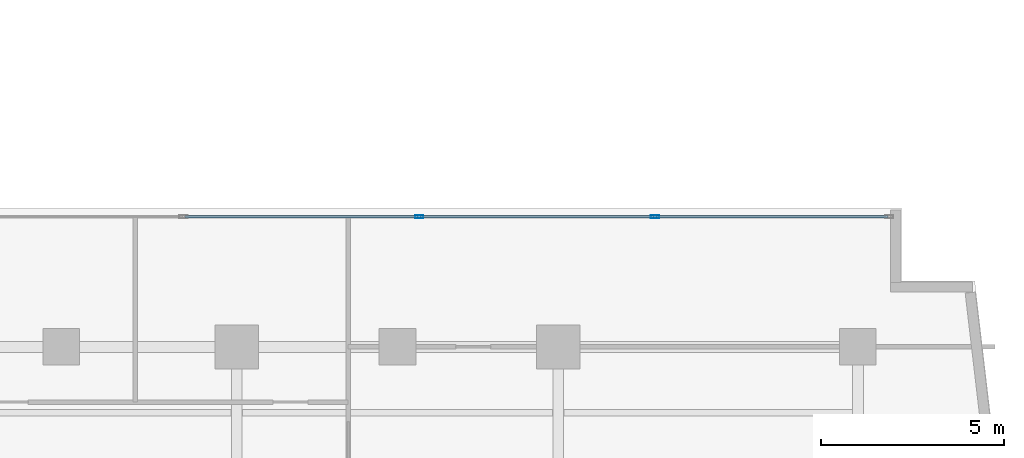
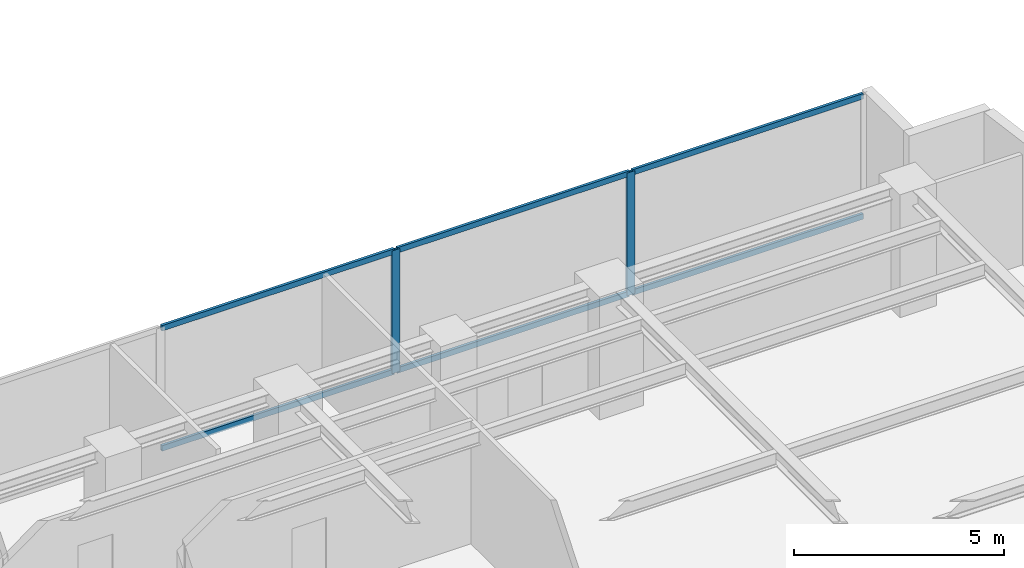
# One storey, part 13 of 24: 8 members, 1 element without a shape of its own.
"""IFC4 building model written with IfcOpenShell, lengths in metres."""

from ifc_helpers import new_model, si_unit, direction, frame, origin, origin_with_axes, origin_2d, place, context, subcontext, project, spatial, hollow_rectangle, extrude, source, transform, mapped, material, layer, layer_set, material_profile, profile_set, type_object, element, aggregate, save


model = new_model("IFC4")

# Units and contexts
model_context = context("Model", 3, precision=1e-05, world=origin(), true_north=direction((0.0, 1.0)))
body_context = subcontext(model_context, "Body", "Model", "MODEL_VIEW")
ifc_project = project(units=[si_unit("LENGTHUNIT", "METRE"), si_unit("AREAUNIT", "SQUARE_METRE"), si_unit("VOLUMEUNIT", "CUBIC_METRE"), si_unit("PLANEANGLEUNIT", "RADIAN"), si_unit("MASSUNIT", "GRAM", prefix="KILO")], contexts=[model_context])

# Site, building, storey
site_placement = place(None, origin())
site = spatial("IfcSite", under=ifc_project, at=site_placement, CompositionType="ELEMENT")
building_placement = place(site_placement, origin())
building = spatial("IfcBuilding", under=site, at=building_placement, Name="Kolvaren Waterfront Exchange", CompositionType="ELEMENT")
storey_placement = place(building_placement, frame((0.0, 0.0, 153.800048828125)))
storey = spatial("IfcBuildingStorey", under=building, at=storey_placement, Name="L39", CompositionType="ELEMENT", Elevation=153.800048828125)

# Curtain wall, members
ifc_material_1 = material(Name="Anodised bronze aluminium 6063-T6", Category="aluminium")
ifc_layer = layer(ifc_material_1, 0.219970703125, Name="Anodised bronze aluminium 6063-T6")
ifc_layer_set = layer_set([ifc_layer], Name="Anodised bronze aluminium 6063-T6")
curtain_wall_type = type_object("IfcCurtainWallType", Name="ARC-CW-SYS1", PredefinedType="USERDEFINED", material=ifc_layer_set)
curtain_wall_placement = place(storey_placement, origin())
curtain_wall = element("IfcCurtainWall", 1, at=curtain_wall_placement, inside=storey, type_object=curtain_wall_type, Name="L39 stick curtain wall CW1 (CW-L39-EN)", ObjectType="STICK CURTAIN WALL", PredefinedType="USERDEFINED")
ifc_material_2 = material(Name="Anodised aluminium 6063-T6", Category="aluminium")
ifc_material_profile_1 = material_profile(ifc_material_2, hollow_rectangle(XDim=0.080078125, YDim=0.219970703125, WallThickness=0.0048828125, at=origin_2d()), Name="ALU-MUL-220x80x5")
ifc_profile_set_1 = profile_set([ifc_material_profile_1], Name="Anodised aluminium 6063-T6")
member_type_1 = type_object("IfcMemberType", Name="ARC-CWM-220", PredefinedType="MULLION", material=ifc_profile_set_1)
shared_shape_1 = source(origin_with_axes(), body_context, "Body", "SweptSolid", [
    extrude(hollow_rectangle(XDim=0.080078125, YDim=0.219970703125, WallThickness=0.0048828125, at=origin_2d()), origin(), (0.0, 0.0, 1.0), 3.56005859375),
])
member_1_placement = place(storey_placement, frame((41.794921875, 20.9599609375, 0.0), z_axis=(0.0, 0.0, 1.0), x_axis=(0.0, 1.0, 0.0)))
member_1 = element("IfcMember", 2, at=member_1_placement, type_object=member_type_1, Name="CW1 mullion 3", PredefinedType="MULLION", context=body_context, shape_type="MappedRepresentation", body=[
    mapped(shared_shape_1, transform((0.0, 0.0, 0.0), x_axis=(1.0, 0.0, 0.0), y_axis=(0.0, 1.0, 0.0), z_axis=(0.0, 0.0, 1.0), scale=1.0)),
])
member_2_placement = place(storey_placement, frame((48.24755859375, 20.9599609375, 0.0), z_axis=(0.0, 0.0, 1.0), x_axis=(0.0, 1.0, 0.0)))
member_2 = element("IfcMember", 3, at=member_2_placement, type_object=member_type_1, Name="CW1 mullion 4", PredefinedType="MULLION", context=body_context, shape_type="MappedRepresentation", body=[
    mapped(shared_shape_1, transform((0.0, 0.0, 0.0), x_axis=(1.0, 0.0, 0.0), y_axis=(0.0, 1.0, 0.0), z_axis=(0.0, 0.0, 1.0), scale=1.0)),
])
ifc_material_profile_2 = material_profile(ifc_material_2, hollow_rectangle(XDim=0.074951171875, YDim=0.159912109375, WallThickness=0.00439453125, at=origin_2d()), Name="ALU-TRN-160x75x4.5")
ifc_profile_set_2 = profile_set([ifc_material_profile_2], Name="Anodised aluminium 6063-T6")
member_type_2 = type_object("IfcMemberType", Name="ARC-CWT-160", PredefinedType="USERDEFINED", material=ifc_profile_set_2)
shared_shape_2 = source(origin_with_axes(), body_context, "Body", "SweptSolid", [
    extrude(hollow_rectangle(XDim=0.074951171875, YDim=0.159912109375, WallThickness=0.00439453125, at=origin_2d()), origin(), (0.0, 0.0, 1.0), 6.33251953125),
])
member_3_placement = place(storey_placement, frame((48.28759765625, 20.9599609375, 0.037353515625), z_axis=(1.0, 0.0, 0.0), x_axis=(0.0, 1.0, 0.0)))
member_3 = element("IfcMember", 4, at=member_3_placement, type_object=member_type_2, Name="CW1 transom 4.1", ObjectType="TRANSOM", PredefinedType="USERDEFINED", context=body_context, shape_type="MappedRepresentation", body=[
    mapped(shared_shape_2, transform((0.0, 0.0, 0.0), x_axis=(1.0, 0.0, 0.0), y_axis=(0.0, 1.0, 0.0), z_axis=(0.0, 0.0, 1.0), scale=1.0)),
])
member_4_placement = place(storey_placement, frame((48.28759765625, 20.9599609375, 3.5224609375), z_axis=(1.0, 0.0, 0.0), x_axis=(0.0, 1.0, 0.0)))
member_4 = element("IfcMember", 5, at=member_4_placement, type_object=member_type_2, Name="CW1 transom 4.2", ObjectType="TRANSOM", PredefinedType="USERDEFINED", context=body_context, shape_type="MappedRepresentation", body=[
    mapped(shared_shape_2, transform((0.0, 0.0, 0.0), x_axis=(1.0, 0.0, 0.0), y_axis=(0.0, 1.0, 0.0), z_axis=(0.0, 0.0, 1.0), scale=1.0)),
])
shared_shape_3 = source(origin_with_axes(), body_context, "Body", "SweptSolid", [
    extrude(hollow_rectangle(XDim=0.074951171875, YDim=0.159912109375, WallThickness=0.00439453125, at=origin_2d()), origin(), (0.0, 0.0, 1.0), 6.372314453125),
])
member_5_placement = place(storey_placement, frame((35.382568359375, 20.9599609375, 0.037353515625), z_axis=(1.0, 0.0, 0.0), x_axis=(0.0, 1.0, 0.0)))
member_5 = element("IfcMember", 6, at=member_5_placement, type_object=member_type_2, Name="CW1 transom 2.1", ObjectType="TRANSOM", PredefinedType="USERDEFINED", context=body_context, shape_type="MappedRepresentation", body=[
    mapped(shared_shape_3, transform((0.0, 0.0, 0.0), x_axis=(1.0, 0.0, 0.0), y_axis=(0.0, 1.0, 0.0), z_axis=(0.0, 0.0, 1.0), scale=1.0)),
])
member_6_placement = place(storey_placement, frame((35.382568359375, 20.9599609375, 3.5224609375), z_axis=(1.0, 0.0, 0.0), x_axis=(0.0, 1.0, 0.0)))
member_6 = element("IfcMember", 7, at=member_6_placement, type_object=member_type_2, Name="CW1 transom 2.2", ObjectType="TRANSOM", PredefinedType="USERDEFINED", context=body_context, shape_type="MappedRepresentation", body=[
    mapped(shared_shape_3, transform((0.0, 0.0, 0.0), x_axis=(1.0, 0.0, 0.0), y_axis=(0.0, 1.0, 0.0), z_axis=(0.0, 0.0, 1.0), scale=1.0)),
])
shared_shape_4 = source(origin_with_axes(), body_context, "Body", "SweptSolid", [
    extrude(hollow_rectangle(XDim=0.074951171875, YDim=0.159912109375, WallThickness=0.00439453125, at=origin_2d()), origin(), (0.0, 0.0, 1.0), 6.37255859375),
])
member_7_placement = place(storey_placement, frame((41.8349609375, 20.9599609375, 0.037353515625), z_axis=(1.0, 0.0, 0.0), x_axis=(0.0, 1.0, 0.0)))
member_7 = element("IfcMember", 8, at=member_7_placement, type_object=member_type_2, Name="CW1 transom 3.1", ObjectType="TRANSOM", PredefinedType="USERDEFINED", context=body_context, shape_type="MappedRepresentation", body=[
    mapped(shared_shape_4, transform((0.0, 0.0, 0.0), x_axis=(1.0, 0.0, 0.0), y_axis=(0.0, 1.0, 0.0), z_axis=(0.0, 0.0, 1.0), scale=1.0)),
])
member_8_placement = place(storey_placement, frame((41.8349609375, 20.9599609375, 3.5224609375), z_axis=(1.0, 0.0, 0.0), x_axis=(0.0, 1.0, 0.0)))
member_8 = element("IfcMember", 9, at=member_8_placement, type_object=member_type_2, Name="CW1 transom 3.2", ObjectType="TRANSOM", PredefinedType="USERDEFINED", context=body_context, shape_type="MappedRepresentation", body=[
    mapped(shared_shape_4, transform((0.0, 0.0, 0.0), x_axis=(1.0, 0.0, 0.0), y_axis=(0.0, 1.0, 0.0), z_axis=(0.0, 0.0, 1.0), scale=1.0)),
])
aggregate(curtain_wall, [member_1, member_2, member_5, member_6, member_7, member_8, member_3, member_4])

save(model, "model.ifc")
